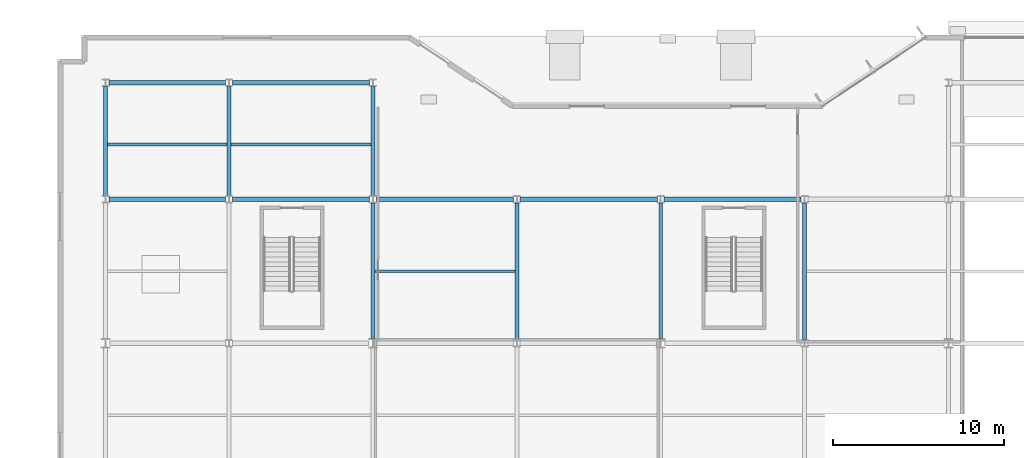
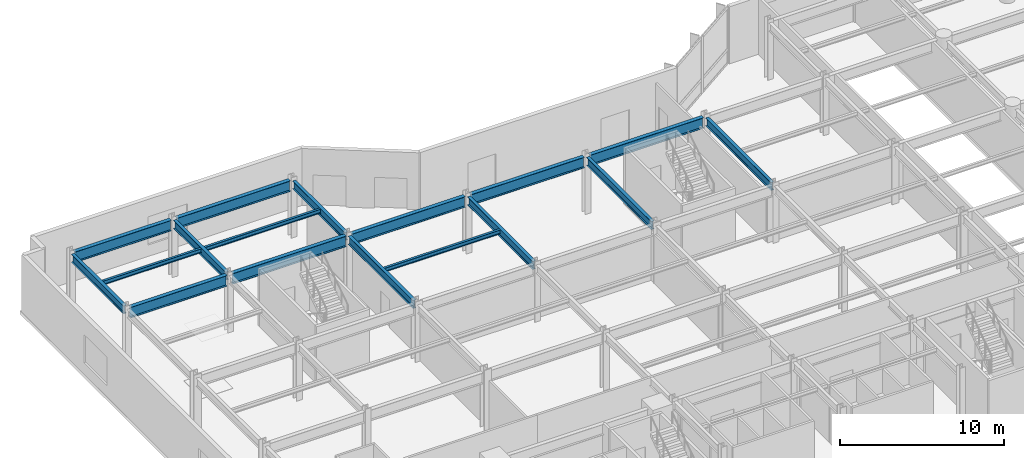
# One storey, part 5 of 26: 17 beams.
"""IFC4 building model written with IfcOpenShell, lengths in metres."""

from ifc_helpers import new_model, si_unit, direction, frame, origin, origin_2d, place, context, subcontext, project, spatial, i_section, extrude, material, material_profile, profile_set, type_object, element, save


model = new_model("IFC4")

# Units and contexts
model_context = context("Model", 3, precision=1e-05, world=origin(), true_north=direction((0.0, 1.0)))
body_context = subcontext(model_context, "Body", "Model", "MODEL_VIEW")
ifc_project = project(units=[si_unit("LENGTHUNIT", "METRE"), si_unit("AREAUNIT", "SQUARE_METRE"), si_unit("VOLUMEUNIT", "CUBIC_METRE"), si_unit("PLANEANGLEUNIT", "RADIAN"), si_unit("MASSUNIT", "GRAM", prefix="KILO")], contexts=[model_context])

# Site, building, storey
site_placement = place(None, origin())
site = spatial("IfcSite", under=ifc_project, at=site_placement, CompositionType="ELEMENT")
building_placement = place(site_placement, origin())
building = spatial("IfcBuilding", under=site, at=building_placement, Name="Varnakote Quay Hospital", CompositionType="ELEMENT")
storey_placement = place(building_placement, origin())
storey = spatial("IfcBuildingStorey", under=building, at=storey_placement, Name="L00", CompositionType="ELEMENT", Elevation=0.0)

# Beams
ifc_material_1 = material(Name="Structural steel AS/NZS 3679.1 Grade 350 L0 (fy 340 MPa)", Category="steel")
ifc_material_profile_1 = material_profile(ifc_material_1, i_section(OverallWidth=0.22802734375, OverallDepth=0.60205078125, WebThickness=0.010498046875, FlangeThickness=0.014892578125, FilletRadius=0.013916015625, at=origin_2d()), Name="610UB101")
ifc_profile_set_1 = profile_set([ifc_material_profile_1], Name="Structural steel AS/NZS 3679.1 Grade 350 L0 (fy 340 MPa)")
beam_type_1 = type_object("IfcBeamType", Name="BM-STL-610UB101", PredefinedType="BEAM", material=ifc_profile_set_1)
for number, where, z_axis, x_axis, name in (
    (1, (1.199951171875, 37.409912109375, 3.948974609375), (0.0, 1.0, 0.0), (-1.0, 0.0, 0.0), "L00 Primary Tie Beam"),
    (2, (8.39990234375, 37.409912109375, 3.948974609375), (0.0, 1.0, 0.0), (-1.0, 0.0, 0.0), "L00 Primary Tie Beam"),
):
    element("IfcBeam", number, at=place(storey_placement, frame(where, z_axis=z_axis, x_axis=x_axis)), inside=storey, type_object=beam_type_1, Name=name, PredefinedType="BEAM", context=body_context, shape_type="SweptSolid", body=[
        extrude(i_section(OverallWidth=0.22802734375, OverallDepth=0.60205078125, WebThickness=0.010498046875, FlangeThickness=0.014892578125, FilletRadius=0.013916015625, at=origin_2d()), origin(), (0.0, 0.0, 1.0), 6.380126953125),
    ])
beam_1_placement = place(storey_placement, frame((16.800048828125, 29.06494140625, 3.948974609375), z_axis=(0.0, 1.0, 0.0), x_axis=(-1.0, 0.0, 0.0)))
element("IfcBeam", 3, at=beam_1_placement, inside=storey, type_object=beam_type_1, Name="L00 Primary Tie Beam", PredefinedType="BEAM", context=body_context, shape_type="SweptSolid", body=[
    extrude(i_section(OverallWidth=0.22802734375, OverallDepth=0.60205078125, WebThickness=0.010498046875, FlangeThickness=0.014892578125, FilletRadius=0.013916015625, at=origin_2d()), origin(), (0.0, 0.0, 1.0), 7.925048828125),
])
beam_2_placement = place(storey_placement, frame((16.800048828125, 37.409912109375, 3.948974609375), z_axis=(0.0, 1.0, 0.0), x_axis=(-1.0, 0.0, 0.0)))
element("IfcBeam", 4, at=beam_2_placement, inside=storey, type_object=beam_type_1, Name="L00 Primary Tie Beam", PredefinedType="BEAM", context=body_context, shape_type="SweptSolid", body=[
    extrude(i_section(OverallWidth=0.22802734375, OverallDepth=0.60205078125, WebThickness=0.010498046875, FlangeThickness=0.014892578125, FilletRadius=0.013916015625, at=origin_2d()), origin(), (0.0, 0.0, 1.0), 6.380126953125),
])
beam_3_placement = place(storey_placement, frame((25.199951171875, 29.010009765625, 3.948974609375), z_axis=(0.0, 1.0, 0.0), x_axis=(-1.0, 0.0, 0.0)))
element("IfcBeam", 5, at=beam_3_placement, inside=storey, type_object=beam_type_1, Name="L00 Primary Tie Beam", PredefinedType="BEAM", context=body_context, shape_type="SweptSolid", body=[
    extrude(i_section(OverallWidth=0.22802734375, OverallDepth=0.60205078125, WebThickness=0.010498046875, FlangeThickness=0.014892578125, FilletRadius=0.013916015625, at=origin_2d()), origin(), (0.0, 0.0, 1.0), 7.97998046875),
])
beam_4_placement = place(storey_placement, frame((33.60009765625, 29.06494140625, 3.948974609375), z_axis=(0.0, 1.0, 0.0), x_axis=(-1.0, 0.0, 0.0)))
element("IfcBeam", 6, at=beam_4_placement, inside=storey, type_object=beam_type_1, Name="L00 Primary Tie Beam", PredefinedType="BEAM", context=body_context, shape_type="SweptSolid", body=[
    extrude(i_section(OverallWidth=0.22802734375, OverallDepth=0.60205078125, WebThickness=0.010498046875, FlangeThickness=0.014892578125, FilletRadius=0.013916015625, at=origin_2d()), origin(), (0.0, 0.0, 1.0), 7.925048828125),
])
beam_5_placement = place(storey_placement, frame((42.0, 29.010009765625, 3.948974609375), z_axis=(0.0, 1.0, 0.0), x_axis=(-1.0, 0.0, 0.0)))
element("IfcBeam", 7, at=beam_5_placement, inside=storey, type_object=beam_type_1, Name="L00 Primary Tie Beam", PredefinedType="BEAM", context=body_context, shape_type="SweptSolid", body=[
    extrude(i_section(OverallWidth=0.22802734375, OverallDepth=0.60205078125, WebThickness=0.010498046875, FlangeThickness=0.014892578125, FilletRadius=0.013916015625, at=origin_2d()), origin(), (0.0, 0.0, 1.0), 7.97998046875),
])
ifc_material_2 = material(Name="Structural steel AS/NZS 3678 Grade 350 (fy 340 MPa)", Category="steel")
ifc_material_profile_2 = material_profile(ifc_material_2, i_section(OverallWidth=0.27490234375, OverallDepth=0.800048828125, WebThickness=0.010009765625, FlangeThickness=0.02001953125, at=origin_2d()), Name="800WB146")
ifc_profile_set_2 = profile_set([ifc_material_profile_2], Name="Structural steel AS/NZS 3678 Grade 350 (fy 340 MPa)")
beam_type_2 = type_object("IfcBeamType", Name="BM-STL-800WB146", PredefinedType="BEAM", material=ifc_profile_set_2)
beam_6_placement = place(storey_placement, frame((1.39990234375, 37.199951171875, 3.85009765625), z_axis=(1.0, 0.0, 0.0), x_axis=(0.0, 1.0, 0.0)))
element("IfcBeam", 8, at=beam_6_placement, inside=storey, type_object=beam_type_2, Name="L00 Primary Floor Beam", PredefinedType="BEAM", context=body_context, shape_type="SweptSolid", body=[
    extrude(i_section(OverallWidth=0.27490234375, OverallDepth=0.800048828125, WebThickness=0.010009765625, FlangeThickness=0.02001953125, at=origin_2d()), origin(), (0.0, 0.0, 1.0), 6.800048828125),
])
for number, where, z_axis, x_axis, name in (
    (9, (8.60009765625, 37.199951171875, 3.85009765625), (1.0, 0.0, 0.0), (0.0, 1.0, 0.0), "L00 Primary Floor Beam"),
    (10, (17.0, 37.199951171875, 3.85009765625), (1.0, 0.0, 0.0), (0.0, 1.0, 0.0), "L00 Primary Floor Beam"),
    (11, (25.39990234375, 37.199951171875, 3.85009765625), (1.0, 0.0, 0.0), (0.0, 1.0, 0.0), "L00 Primary Floor Beam"),
    (12, (33.800048828125, 37.199951171875, 3.85009765625), (1.0, 0.0, 0.0), (0.0, 1.0, 0.0), "L00 Primary Floor Beam"),
):
    element("IfcBeam", number, at=place(storey_placement, frame(where, z_axis=z_axis, x_axis=x_axis)), inside=storey, type_object=beam_type_2, Name=name, PredefinedType="BEAM", context=body_context, shape_type="SweptSolid", body=[
        extrude(i_section(OverallWidth=0.27490234375, OverallDepth=0.800048828125, WebThickness=0.010009765625, FlangeThickness=0.02001953125, at=origin_2d()), origin(), (0.0, 0.0, 1.0), 8.0),
    ])
beam_7_placement = place(storey_placement, frame((1.39990234375, 44.0, 3.85009765625), z_axis=(1.0, 0.0, 0.0), x_axis=(0.0, 1.0, 0.0)))
element("IfcBeam", 13, at=beam_7_placement, inside=storey, type_object=beam_type_2, Name="L00 Primary Floor Beam", PredefinedType="BEAM", context=body_context, shape_type="SweptSolid", body=[
    extrude(i_section(OverallWidth=0.27490234375, OverallDepth=0.800048828125, WebThickness=0.010009765625, FlangeThickness=0.02001953125, at=origin_2d()), origin(), (0.0, 0.0, 1.0), 6.800048828125),
])
beam_8_placement = place(storey_placement, frame((8.60009765625, 44.0, 3.85009765625), z_axis=(1.0, 0.0, 0.0), x_axis=(0.0, 1.0, 0.0)))
element("IfcBeam", 14, at=beam_8_placement, inside=storey, type_object=beam_type_2, Name="L00 Primary Floor Beam", PredefinedType="BEAM", context=body_context, shape_type="SweptSolid", body=[
    extrude(i_section(OverallWidth=0.27490234375, OverallDepth=0.800048828125, WebThickness=0.010009765625, FlangeThickness=0.02001953125, at=origin_2d()), origin(), (0.0, 0.0, 1.0), 8.0),
])
ifc_material_3 = material(Name="Structural steel AS/NZS 3679.1 Grade 350 L0 (fy 340 MPa)", Category="steel")
ifc_material_profile_3 = material_profile(ifc_material_3, i_section(OverallWidth=0.1650390625, OverallDepth=0.303955078125, WebThickness=0.006103515625, FlangeThickness=0.01025390625, FilletRadius=0.011474609375, at=origin_2d()), Name="310UB40.4")
ifc_profile_set_3 = profile_set([ifc_material_profile_3], Name="Structural steel AS/NZS 3679.1 Grade 350 L0 (fy 340 MPa)")
beam_type_3 = type_object("IfcBeamType", Name="JST-STL-310UB40-4", PredefinedType="JOIST", material=ifc_profile_set_3)
beam_9_placement = place(storey_placement, frame((16.9140625, 33.0, 4.097900390625), z_axis=(1.0, 0.0, 0.0), x_axis=(0.0, 1.0, 0.0)))
element("IfcBeam", 15, at=beam_9_placement, inside=storey, type_object=beam_type_3, Name="L00 Composite Floor Joist", PredefinedType="JOIST", context=body_context, shape_type="SweptSolid", body=[
    extrude(i_section(OverallWidth=0.1650390625, OverallDepth=0.303955078125, WebThickness=0.006103515625, FlangeThickness=0.01025390625, FilletRadius=0.011474609375, at=origin_2d()), origin(), (0.0, 0.0, 1.0), 8.171875),
])
beam_10_placement = place(storey_placement, frame((1.31396484375, 40.39990234375, 4.097900390625), z_axis=(1.0, 0.0, 0.0), x_axis=(0.0, 1.0, 0.0)))
element("IfcBeam", 16, at=beam_10_placement, inside=storey, type_object=beam_type_3, Name="L00 Composite Floor Joist", PredefinedType="JOIST", context=body_context, shape_type="SweptSolid", body=[
    extrude(i_section(OverallWidth=0.1650390625, OverallDepth=0.303955078125, WebThickness=0.006103515625, FlangeThickness=0.01025390625, FilletRadius=0.011474609375, at=origin_2d()), origin(), (0.0, 0.0, 1.0), 6.971923828125),
])
beam_11_placement = place(storey_placement, frame((8.513916015625, 40.39990234375, 4.097900390625), z_axis=(1.0, 0.0, 0.0), x_axis=(0.0, 1.0, 0.0)))
element("IfcBeam", 17, at=beam_11_placement, inside=storey, type_object=beam_type_3, Name="L00 Composite Floor Joist", PredefinedType="JOIST", context=body_context, shape_type="SweptSolid", body=[
    extrude(i_section(OverallWidth=0.1650390625, OverallDepth=0.303955078125, WebThickness=0.006103515625, FlangeThickness=0.01025390625, FilletRadius=0.011474609375, at=origin_2d()), origin(), (0.0, 0.0, 1.0), 8.172119140625),
])

save(model, "model.ifc")
